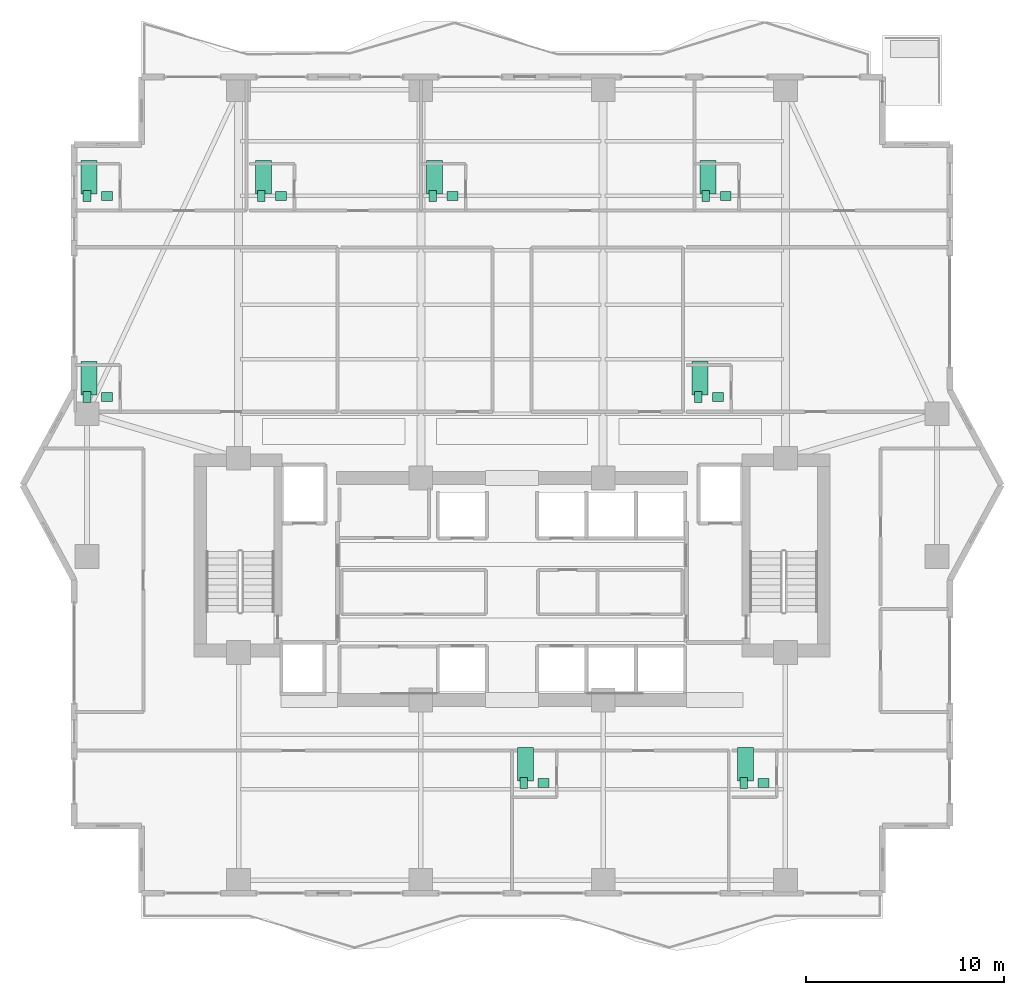
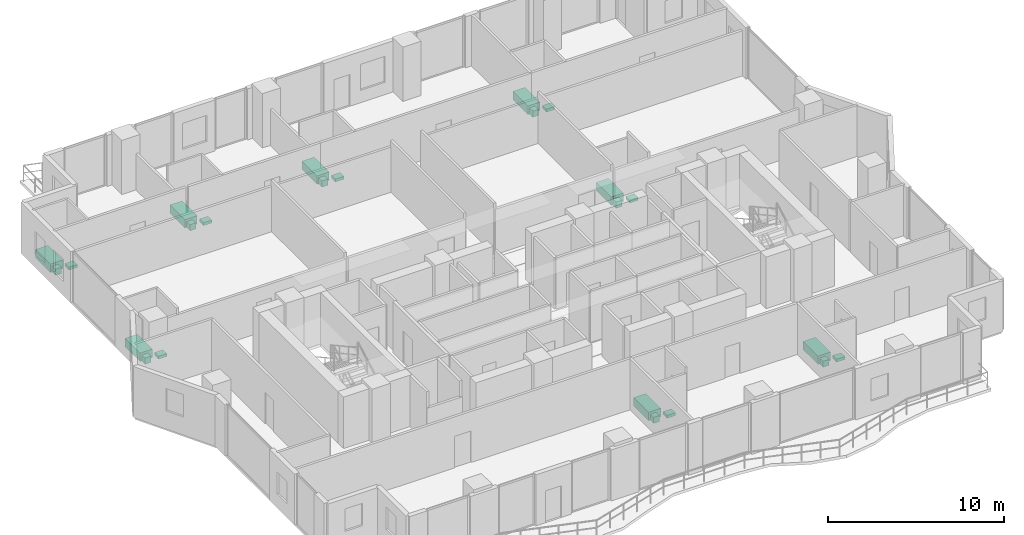
# One storey, part 33 of 33: 24 sanitary terminals.
"""IFC4 building model written with IfcOpenShell, lengths in metres."""

from ifc_helpers import new_model, si_unit, direction, frame, origin, origin_2d, place, context, subcontext, project, spatial, rectangle, extrude, material, type_object, element, save


model = new_model("IFC4")

# Units and contexts
model_context = context("Model", 3, precision=1e-05, world=origin(), true_north=direction((0.0, 1.0)))
body_context = subcontext(model_context, "Body", "Model", "MODEL_VIEW")
ifc_project = project(units=[si_unit("LENGTHUNIT", "METRE"), si_unit("AREAUNIT", "SQUARE_METRE"), si_unit("VOLUMEUNIT", "CUBIC_METRE"), si_unit("PLANEANGLEUNIT", "RADIAN"), si_unit("MASSUNIT", "GRAM", prefix="KILO")], contexts=[model_context])

# Site, building, storey
site_placement = place(None, origin())
site = spatial("IfcSite", under=ifc_project, at=site_placement, CompositionType="ELEMENT")
building_placement = place(site_placement, origin())
building = spatial("IfcBuilding", under=site, at=building_placement, Name="Zuhayl Quay Hotel", CompositionType="ELEMENT")
storey_placement = place(building_placement, frame((0.0, 0.0, 214.89990234375)))
storey = spatial("IfcBuildingStorey", under=building, at=storey_placement, Name="L54", CompositionType="ELEMENT", Elevation=214.89990234375)

# Sanitary terminals
ifc_material = material(Name="Vitreous Porcelain Sanitaryware")
sanitary_terminal_type_1 = type_object("IfcSanitaryTerminalType", Name="SAN_BASIN", PredefinedType="WASHHANDBASIN", material=ifc_material)
for number, where, z_axis, x_axis, name in (
    (1, (-20.449951171875, 27.590087890625, 0.0), (0.0, 0.0, 1.0), (1.0, 0.0, 0.0), "L54 Sanitary Fixture WASHHANDBASIN"),
    (2, (-11.64990234375, 27.590087890625, 0.0), (0.0, 0.0, 1.0), (1.0, 0.0, 0.0), "L54 Sanitary Fixture WASHHANDBASIN"),
    (3, (-3.010009765625, 27.590087890625, 0.0), (0.0, 0.0, 1.0), (1.0, 0.0, 0.0), "L54 Sanitary Fixture WASHHANDBASIN"),
    (4, (10.7900390625, 27.590087890625, 0.0), (0.0, 0.0, 1.0), (1.0, 0.0, 0.0), "L54 Sanitary Fixture WASHHANDBASIN"),
    (5, (-20.449951171875, 17.43994140625, 0.0), (0.0, 0.0, 1.0), (1.0, 0.0, 0.0), "L54 Sanitary Fixture WASHHANDBASIN"),
    (6, (10.389892578125, 17.43994140625, 0.0), (0.0, 0.0, 1.0), (1.0, 0.0, 0.0), "L54 Sanitary Fixture WASHHANDBASIN"),
    (7, (1.590087890625, -2.0400390625, 0.0), (0.0, 0.0, 1.0), (1.0, 0.0, 0.0), "L54 Sanitary Fixture WASHHANDBASIN"),
    (8, (12.68994140625, -2.0400390625, 0.0), (0.0, 0.0, 1.0), (1.0, 0.0, 0.0), "L54 Sanitary Fixture WASHHANDBASIN"),
):
    element("IfcSanitaryTerminal", number, at=place(storey_placement, frame(where, z_axis=z_axis, x_axis=x_axis)), inside=storey, type_object=sanitary_terminal_type_1, Name=name, PredefinedType="WASHHANDBASIN", context=body_context, shape_type="SweptSolid", body=[
        extrude(rectangle(XDim=0.550048828125, YDim=0.449951171875, at=origin_2d()), origin(), (0.0, 0.0, 1.0), 0.199951171875),
    ])
sanitary_terminal_type_2 = type_object("IfcSanitaryTerminalType", Name="SAN_BATH", PredefinedType="BATH", material=ifc_material)
for number, where, z_axis, x_axis, name in (
    (9, (-21.35009765625, 28.5400390625, 0.0), (0.0, 0.0, 1.0), (1.0, 0.0, 0.0), "L54 Sanitary Fixture BATH"),
    (10, (-12.550048828125, 28.5400390625, 0.0), (0.0, 0.0, 1.0), (1.0, 0.0, 0.0), "L54 Sanitary Fixture BATH"),
    (11, (-3.909912109375, 28.5400390625, 0.0), (0.0, 0.0, 1.0), (1.0, 0.0, 0.0), "L54 Sanitary Fixture BATH"),
    (12, (9.889892578125, 28.5400390625, 0.0), (0.0, 0.0, 1.0), (1.0, 0.0, 0.0), "L54 Sanitary Fixture BATH"),
    (13, (-21.35009765625, 18.389892578125, 0.0), (0.0, 0.0, 1.0), (1.0, 0.0, 0.0), "L54 Sanitary Fixture BATH"),
    (14, (9.489990234375, 18.389892578125, 0.0), (0.0, 0.0, 1.0), (1.0, 0.0, 0.0), "L54 Sanitary Fixture BATH"),
    (15, (0.68994140625, -1.090087890625, 0.0), (0.0, 0.0, 1.0), (1.0, 0.0, 0.0), "L54 Sanitary Fixture BATH"),
    (16, (11.7900390625, -1.090087890625, 0.0), (0.0, 0.0, 1.0), (1.0, 0.0, 0.0), "L54 Sanitary Fixture BATH"),
):
    element("IfcSanitaryTerminal", number, at=place(storey_placement, frame(where, z_axis=z_axis, x_axis=x_axis)), inside=storey, type_object=sanitary_terminal_type_2, Name=name, PredefinedType="BATH", context=body_context, shape_type="SweptSolid", body=[
        extrude(rectangle(XDim=0.800048828125, YDim=1.699951171875, at=origin_2d()), origin(), (0.0, 0.0, 1.0), 0.580078125),
    ])
sanitary_terminal_type_3 = type_object("IfcSanitaryTerminalType", Name="SAN_WC", PredefinedType="TOILETPAN", material=ifc_material)
for number, where, z_axis, x_axis, name in (
    (17, (-21.449951171875, 27.590087890625, 0.000244140625), (0.0, 0.0, 1.0), (1.0, 0.0, 0.0), "L54 Sanitary Fixture TOILETPAN"),
    (18, (-12.64990234375, 27.590087890625, 0.000244140625), (0.0, 0.0, 1.0), (1.0, 0.0, 0.0), "L54 Sanitary Fixture TOILETPAN"),
    (19, (-4.010009765625, 27.590087890625, 0.000244140625), (0.0, 0.0, 1.0), (1.0, 0.0, 0.0), "L54 Sanitary Fixture TOILETPAN"),
    (20, (9.7900390625, 27.590087890625, 0.000244140625), (0.0, 0.0, 1.0), (1.0, 0.0, 0.0), "L54 Sanitary Fixture TOILETPAN"),
    (21, (-21.449951171875, 17.43994140625, 0.000244140625), (0.0, 0.0, 1.0), (1.0, 0.0, 0.0), "L54 Sanitary Fixture TOILETPAN"),
    (22, (9.389892578125, 17.43994140625, 0.000244140625), (0.0, 0.0, 1.0), (1.0, 0.0, 0.0), "L54 Sanitary Fixture TOILETPAN"),
    (23, (0.590087890625, -2.0400390625, 0.000244140625), (0.0, 0.0, 1.0), (1.0, 0.0, 0.0), "L54 Sanitary Fixture TOILETPAN"),
    (24, (11.68994140625, -2.0400390625, 0.000244140625), (0.0, 0.0, 1.0), (1.0, 0.0, 0.0), "L54 Sanitary Fixture TOILETPAN"),
):
    element("IfcSanitaryTerminal", number, at=place(storey_placement, frame(where, z_axis=z_axis, x_axis=x_axis)), inside=storey, type_object=sanitary_terminal_type_3, Name=name, PredefinedType="TOILETPAN", context=body_context, shape_type="SweptSolid", body=[
        extrude(rectangle(XDim=0.3798828125, YDim=0.56005859375, at=origin_2d()), origin(), (0.0, 0.0, 1.0), 0.419921875),
    ])

save(model, "model.ifc")
